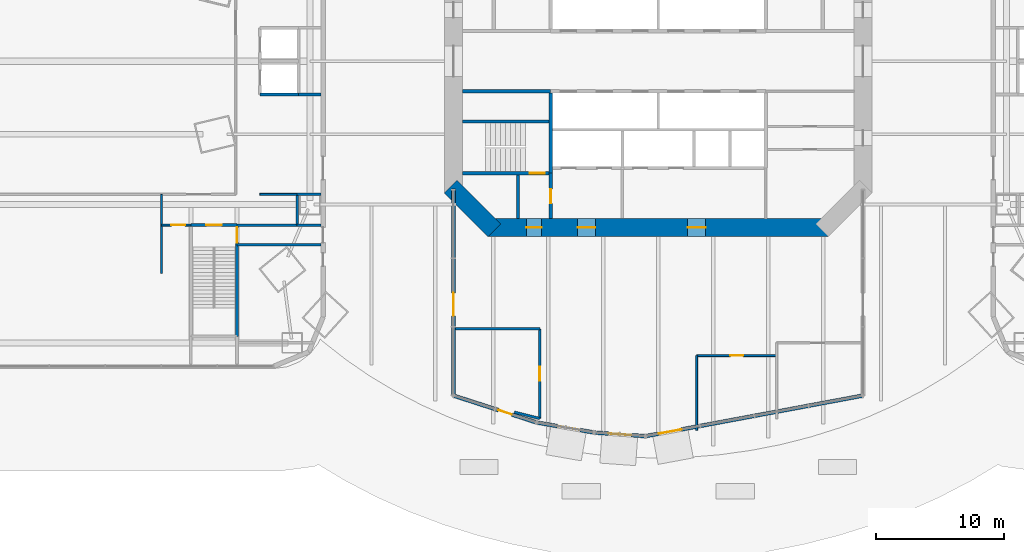
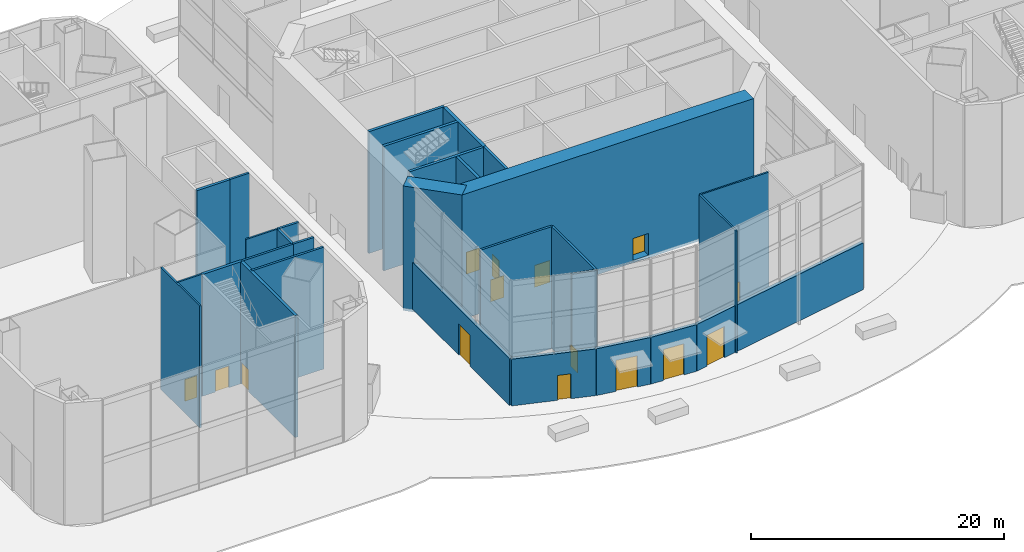
# One storey, part 11 of 23: 30 walls, 15 doors, 15 openings.
"""IFC4 building model written with IfcOpenShell, lengths in metres."""

from ifc_helpers import new_model, si_unit, direction, frame, frame_2d, origin, place, context, subcontext, project, spatial, rectangle, extrude, material, layer, layer_set, type_object, element, fill, save


model = new_model("IFC4")

# Units and contexts
model_context = context("Model", 3, precision=1e-05, world=origin(), true_north=direction((0.0, 1.0)))
body_context = subcontext(model_context, "Body", "Model", "MODEL_VIEW")
ifc_project = project(units=[si_unit("LENGTHUNIT", "METRE"), si_unit("AREAUNIT", "SQUARE_METRE"), si_unit("VOLUMEUNIT", "CUBIC_METRE"), si_unit("PLANEANGLEUNIT", "RADIAN"), si_unit("MASSUNIT", "GRAM", prefix="KILO")], contexts=[model_context])

# Site, building, storey
site_placement = place(None, origin())
site = spatial("IfcSite", under=ifc_project, at=site_placement, CompositionType="ELEMENT")
building_placement = place(site_placement, origin())
building = spatial("IfcBuilding", under=site, at=building_placement, Name="Marenthal Gate Tower", CompositionType="ELEMENT")
storey_placement = place(building_placement, origin())
storey = spatial("IfcBuildingStorey", under=building, at=storey_placement, Name="L00", CompositionType="ELEMENT", Elevation=0.0)

# Wall
ifc_material_1 = material(Name="Concrete 60 MPa", Category="concrete")
ifc_layer_1 = layer(ifc_material_1, 1.39990234375)
ifc_layer_set_1 = layer_set([ifc_layer_1], Name="Core shear wall 1400")
wall_type_1 = type_object("IfcWallType", Name="Core shear wall 1400", PredefinedType="SHEAR", material=ifc_layer_set_1)
wall_1_placement = place(storey_placement, frame((-16.205078125, -9.794921875, -0.25), z_axis=(0.0, 0.0, 1.0), x_axis=(0.707106781187, -0.707106781187, 0.0)))
element("IfcWall", 1, at=wall_1_placement, inside=storey, type_object=wall_type_1, Name="Core wall 07", PredefinedType="SHEAR", context=body_context, shape_type="SweptSolid", body=[
    extrude(rectangle(XDim=4.82275390625, YDim=1.39990234375, at=frame_2d((2.411376953125, 0.0))), origin(), (0.0, 0.0, 1.0), 12.0),
])

# Wall, openings, doors
wall_2_placement = place(storey_placement, frame((-13.289794921875, -13.0, -0.25), z_axis=(0.0, 0.0, 1.0), x_axis=(1.0, 0.0, 0.0)))
wall_2 = element("IfcWall", 2, at=wall_2_placement, inside=storey, type_object=wall_type_1, Name="Core wall 08", PredefinedType="SHEAR", context=body_context, shape_type="SweptSolid", body=[
    extrude(rectangle(XDim=26.57958984375, YDim=1.39990234375, at=frame_2d((13.289794921875, 0.0))), origin(), (0.0, 0.0, 1.0), 12.0),
])
opening_1_placement = place(wall_2_placement, frame((2.989990234375, 0.0, 0.25)))
opening_1 = element("IfcOpeningElement", 3, at=opening_1_placement, cuts=wall_2, Name="Opening D001.06", PredefinedType="OPENING", context=body_context, shape_type="SweptSolid", body=[
    extrude(rectangle(XDim=1.199951171875, YDim=2.10009765625, at=frame_2d((0.60009765625, 1.050048828125))), frame((0.0, 0.7099609375, 0.0), z_axis=(0.0, -1.0, 0.0), x_axis=(1.0, 0.0, 0.0)), (0.0, 0.0, 1.0), 1.419921875),
])
opening_2_placement = place(wall_2_placement, frame((6.989990234375, 0.0, 0.25)))
opening_2 = element("IfcOpeningElement", 4, at=opening_2_placement, cuts=wall_2, Name="Opening D004.01", PredefinedType="OPENING", context=body_context, shape_type="SweptSolid", body=[
    extrude(rectangle(XDim=1.39990234375, YDim=2.10009765625, at=frame_2d((0.699951171875, 1.050048828125))), frame((0.0, 0.7099609375, 0.0), z_axis=(0.0, -1.0, 0.0), x_axis=(1.0, 0.0, 0.0)), (0.0, 0.0, 1.0), 1.419921875),
])
opening_3_placement = place(wall_2_placement, frame((15.58984375, 0.0, 0.25)))
opening_3 = element("IfcOpeningElement", 5, at=opening_3_placement, cuts=wall_2, Name="Opening D004.02", PredefinedType="OPENING", context=body_context, shape_type="SweptSolid", body=[
    extrude(rectangle(XDim=1.39990234375, YDim=2.10009765625, at=frame_2d((0.699951171875, 1.050048828125))), frame((0.0, 0.7099609375, 0.0), z_axis=(0.0, -1.0, 0.0), x_axis=(1.0, 0.0, 0.0)), (0.0, 0.0, 1.0), 1.419921875),
])
ifc_material_2 = material(Name="Steel fire door", Category="steel")
door_type_1 = type_object("IfcDoorType", Name="Fire door FD 45 1400 x 2100", OperationType="NOTDEFINED", PredefinedType="DOOR", material=ifc_material_2)
door_1_placement = place(opening_2_placement, origin())
door_1 = element("IfcDoor", 6, at=door_1_placement, inside=storey, type_object=door_type_1, Name="Door D004.01", OperationType="SINGLE_SWING_RIGHT", OverallHeight=2.10009765625, OverallWidth=1.39990234375, PredefinedType="DOOR", context=body_context, shape_type="SweptSolid", body=[
    extrude(rectangle(XDim=1.39990234375, YDim=2.10009765625, at=frame_2d((0.699951171875, 1.050048828125))), frame((0.0, 0.02490234375, 0.0), z_axis=(0.0, -1.0, 0.0), x_axis=(1.0, 0.0, 0.0)), (0.0, 0.0, 1.0), 0.050048828125),
])
fill(opening_2, door_1)
door_2_placement = place(opening_3_placement, origin())
door_2 = element("IfcDoor", 7, at=door_2_placement, inside=storey, type_object=door_type_1, Name="Door D004.02", OperationType="SINGLE_SWING_RIGHT", OverallHeight=2.10009765625, OverallWidth=1.39990234375, PredefinedType="DOOR", context=body_context, shape_type="SweptSolid", body=[
    extrude(rectangle(XDim=1.39990234375, YDim=2.10009765625, at=frame_2d((0.699951171875, 1.050048828125))), frame((0.0, 0.02490234375, 0.0), z_axis=(0.0, -1.0, 0.0), x_axis=(1.0, 0.0, 0.0)), (0.0, 0.0, 1.0), 0.050048828125),
])
fill(opening_3, door_2)
ifc_material_3 = material(Name="Steel fire door", Category="steel")
door_type_2 = type_object("IfcDoorType", Name="Fire door FD 90 1200 x 2100", OperationType="NOTDEFINED", PredefinedType="DOOR", material=ifc_material_3)
door_3_placement = place(opening_1_placement, origin())
door_3 = element("IfcDoor", 8, at=door_3_placement, inside=storey, type_object=door_type_2, Name="Door D001.06", OperationType="SINGLE_SWING_RIGHT", OverallHeight=2.10009765625, OverallWidth=1.199951171875, PredefinedType="DOOR", context=body_context, shape_type="SweptSolid", body=[
    extrude(rectangle(XDim=1.199951171875, YDim=2.10009765625, at=frame_2d((0.60009765625, 1.050048828125))), frame((0.0, 0.02490234375, 0.0), z_axis=(0.0, -1.0, 0.0), x_axis=(1.0, 0.0, 0.0)), (0.0, 0.0, 1.0), 0.050048828125),
])
fill(opening_1, door_3)

# Wall, opening, door
ifc_material_4 = material(Name="Terracotta cladding on insulated concrete-block backing", Category="masonry")
ifc_layer_2 = layer(ifc_material_4, 0.300048828125)
ifc_layer_set_2 = layer_set([ifc_layer_2], Name="Entrance portal wall 300")
wall_type_2 = type_object("IfcWallType", Name="Entrance portal wall 300", PredefinedType="SOLIDWALL", material=ifc_layer_set_2)
wall_3_placement = place(storey_placement, frame((-16.0, -26.117431640625, 0.0), z_axis=(0.0, 0.0, 1.0), x_axis=(0.951503608182, -0.307637584857, 0.0)))
wall_3 = element("IfcWall", 9, at=wall_3_placement, inside=storey, type_object=wall_type_2, Name="Entrance portal wall S1", PredefinedType="SOLIDWALL", context=body_context, shape_type="SweptSolid", body=[
    extrude(rectangle(XDim=6.831298828125, YDim=0.300048828125, at=frame_2d((3.41552734375, 0.0))), origin(), (0.0, 0.0, 1.0), 4.5),
])
opening_4_placement = place(wall_3_placement, frame((3.6982421875, 0.0, 0.0)))
opening_4 = element("IfcOpeningElement", 10, at=opening_4_placement, cuts=wall_3, Name="Opening DX2-L00-07", PredefinedType="OPENING", context=body_context, shape_type="SweptSolid", body=[
    extrude(rectangle(XDim=1.10009765625, YDim=2.39990234375, at=frame_2d((0.550048828125, 1.199951171875))), frame((0.0, 0.16015625, 0.0), z_axis=(0.0, -1.0, 0.0), x_axis=(1.0, 0.0, 0.0)), (0.0, 0.0, 1.0), 0.320068359375),
])
ifc_material_5 = material(Name="Aluminium and glass", Category="aluminium")
door_type_3 = type_object("IfcDoorType", Name="Fire service door 1100x2400", OperationType="NOTDEFINED", PredefinedType="DOOR", material=ifc_material_5)
door_4_placement = place(opening_4_placement, frame((1.10009765625, 0.0, 0.0), z_axis=(0.0, 0.0, 1.0), x_axis=(-1.0, 0.0, 0.0)))
door_4 = element("IfcDoor", 11, at=door_4_placement, inside=storey, type_object=door_type_3, Name="Exterior door DX2-L00-07 L00", OperationType="SINGLE_SWING_RIGHT", OverallHeight=2.39990234375, OverallWidth=1.10009765625, PredefinedType="DOOR", context=body_context, shape_type="SweptSolid", body=[
    extrude(rectangle(XDim=1.10009765625, YDim=2.39990234375, at=frame_2d((0.550048828125, 1.199951171875))), frame((0.0, 0.02490234375, 0.0), z_axis=(0.0, -1.0, 0.0), x_axis=(1.0, 0.0, 0.0)), (0.0, 0.0, 1.0), 0.050048828125),
])
fill(opening_4, door_4)

wall_4_placement = place(storey_placement, frame((-9.5, -28.218994140625, 0.0), z_axis=(0.0, 0.0, 1.0), x_axis=(0.985099358046, -0.171986205197, 0.0)))
wall_4 = element("IfcWall", 12, at=wall_4_placement, inside=storey, type_object=wall_type_2, Name="Entrance portal wall S2", PredefinedType="SOLIDWALL", context=body_context, shape_type="SweptSolid", body=[
    extrude(rectangle(XDim=4.568115234375, YDim=0.300048828125, at=frame_2d((2.2841796875, 0.0))), origin(), (0.0, 0.0, 1.0), 4.5),
])
opening_5_placement = place(wall_4_placement, frame((1.648681640625, 0.0, 0.0)))
opening_5 = element("IfcOpeningElement", 13, at=opening_5_placement, cuts=wall_4, Name="Opening DE1-L00-04", PredefinedType="OPENING", context=body_context, shape_type="SweptSolid", body=[
    extrude(rectangle(XDim=1.800048828125, YDim=3.0, at=frame_2d((0.89990234375, 1.5))), frame((0.0, 0.16015625, 0.0), z_axis=(0.0, -1.0, 0.0), x_axis=(1.0, 0.0, 0.0)), (0.0, 0.0, 1.0), 0.320068359375),
])
ifc_material_6 = material(Name="Aluminium and glass", Category="aluminium")
door_type_4 = type_object("IfcDoorType", Name="Entrance door 1800x3000", OperationType="DOUBLE_DOOR_DOUBLE_SWING", PredefinedType="DOOR", material=ifc_material_6)
door_5_placement = place(opening_5_placement, frame((1.800048828125, 0.0, 0.0), z_axis=(0.0, 0.0, 1.0), x_axis=(-1.0, 0.0, 0.0)))
door_5 = element("IfcDoor", 14, at=door_5_placement, inside=storey, type_object=door_type_4, Name="Exterior door DE1-L00-04 L00", OperationType="DOUBLE_DOOR_DOUBLE_SWING", OverallHeight=3.0, OverallWidth=1.800048828125, PredefinedType="DOOR", context=body_context, shape_type="SweptSolid", body=[
    extrude(rectangle(XDim=1.800048828125, YDim=3.0, at=frame_2d((0.89990234375, 1.5))), frame((0.0, 0.02490234375, 0.0), z_axis=(0.0, -1.0, 0.0), x_axis=(1.0, 0.0, 0.0)), (0.0, 0.0, 1.0), 0.050048828125),
])
fill(opening_5, door_5)

wall_5_placement = place(storey_placement, frame((-5.0, -29.004638671875, 0.0), z_axis=(0.0, 0.0, 1.0), x_axis=(0.997494422996, -0.070745148897, 0.0)))
wall_5 = element("IfcWall", 15, at=wall_5_placement, inside=storey, type_object=wall_type_2, Name="Entrance portal wall S3", PredefinedType="SOLIDWALL", context=body_context, shape_type="SweptSolid", body=[
    extrude(rectangle(XDim=4.010009765625, YDim=0.300048828125, at=frame_2d((2.0048828125, 0.0))), origin(), (0.0, 0.0, 1.0), 4.5),
])
opening_6_placement = place(wall_5_placement, frame((1.1083984375, 0.0, 0.0)))
opening_6 = element("IfcOpeningElement", 16, at=opening_6_placement, cuts=wall_5, Name="Opening DE1-L00-05", PredefinedType="OPENING", context=body_context, shape_type="SweptSolid", body=[
    extrude(rectangle(XDim=1.800048828125, YDim=3.0, at=frame_2d((0.89990234375, 1.5))), frame((0.0, 0.16015625, 0.0), z_axis=(0.0, -1.0, 0.0), x_axis=(1.0, 0.0, 0.0)), (0.0, 0.0, 1.0), 0.320068359375),
])
door_6_placement = place(opening_6_placement, frame((1.800048828125, 0.0, 0.0), z_axis=(0.0, 0.0, 1.0), x_axis=(-1.0, 0.0, 0.0)))
door_6 = element("IfcDoor", 17, at=door_6_placement, inside=storey, type_object=door_type_4, Name="Exterior door DE1-L00-05 L00", OperationType="DOUBLE_DOOR_DOUBLE_SWING", OverallHeight=3.0, OverallWidth=1.800048828125, PredefinedType="DOOR", context=body_context, shape_type="SweptSolid", body=[
    extrude(rectangle(XDim=1.800048828125, YDim=3.0, at=frame_2d((0.89990234375, 1.5))), frame((0.0, 0.02490234375, 0.0), z_axis=(0.0, -1.0, 0.0), x_axis=(1.0, 0.0, 0.0)), (0.0, 0.0, 1.0), 0.050048828125),
])
fill(opening_6, door_6)

wall_6_placement = place(storey_placement, frame((-1.0, -29.288330078125, 0.0), z_axis=(0.0, 0.0, 1.0), x_axis=(0.983045637193, 0.183361051469, 0.0)))
wall_6 = element("IfcWall", 18, at=wall_6_placement, inside=storey, type_object=wall_type_2, Name="Entrance portal wall S4", PredefinedType="SOLIDWALL", context=body_context, shape_type="SweptSolid", body=[
    extrude(rectangle(XDim=17.293212890625, YDim=0.300048828125, at=frame_2d((8.646484375, 0.0))), origin(), (0.0, 0.0, 1.0), 4.5),
])
opening_7_placement = place(wall_6_placement, frame((1.066162109375, 0.0, 0.0)))
opening_7 = element("IfcOpeningElement", 19, at=opening_7_placement, cuts=wall_6, Name="Opening DE1-L00-06", PredefinedType="OPENING", context=body_context, shape_type="SweptSolid", body=[
    extrude(rectangle(XDim=1.800048828125, YDim=3.0, at=frame_2d((0.89990234375, 1.5))), frame((0.0, 0.16015625, 0.0), z_axis=(0.0, -1.0, 0.0), x_axis=(1.0, 0.0, 0.0)), (0.0, 0.0, 1.0), 0.320068359375),
])
door_7_placement = place(opening_7_placement, frame((1.800048828125, 0.0, 0.0), z_axis=(0.0, 0.0, 1.0), x_axis=(-1.0, 0.0, 0.0)))
door_7 = element("IfcDoor", 20, at=door_7_placement, inside=storey, type_object=door_type_4, Name="Exterior door DE1-L00-06 L00", OperationType="DOUBLE_DOOR_DOUBLE_SWING", OverallHeight=3.0, OverallWidth=1.800048828125, PredefinedType="DOOR", context=body_context, shape_type="SweptSolid", body=[
    extrude(rectangle(XDim=1.800048828125, YDim=3.0, at=frame_2d((0.89990234375, 1.5))), frame((0.0, 0.02490234375, 0.0), z_axis=(0.0, -1.0, 0.0), x_axis=(1.0, 0.0, 0.0)), (0.0, 0.0, 1.0), 0.050048828125),
])
fill(opening_7, door_7)

wall_7_placement = place(storey_placement, frame((-16.0, -10.0, 0.0), z_axis=(0.0, 0.0, 1.0), x_axis=(0.0, -1.0, 0.0)))
wall_7 = element("IfcWall", 21, at=wall_7_placement, inside=storey, type_object=wall_type_2, Name="Hall wall SW1", PredefinedType="SOLIDWALL", context=body_context, shape_type="SweptSolid", body=[
    extrude(rectangle(XDim=16.117431640625, YDim=0.300048828125, at=frame_2d((8.05859375, 0.0))), origin(), (0.0, 0.0, 1.0), 4.5),
])
opening_8_placement = place(wall_7_placement, frame((8.10009765625, 0.0, 0.0)))
opening_8 = element("IfcOpeningElement", 22, at=opening_8_placement, cuts=wall_7, Name="Opening DE1-L00-11", PredefinedType="OPENING", context=body_context, shape_type="SweptSolid", body=[
    extrude(rectangle(XDim=1.800048828125, YDim=3.0, at=frame_2d((0.89990234375, 1.5))), frame((0.0, 0.16015625, 0.0), z_axis=(0.0, -1.0, 0.0), x_axis=(1.0, 0.0, 0.0)), (0.0, 0.0, 1.0), 0.320068359375),
])
door_8_placement = place(opening_8_placement, frame((1.800048828125, 0.0, 0.0), z_axis=(0.0, 0.0, 1.0), x_axis=(-1.0, 0.0, 0.0)))
door_8 = element("IfcDoor", 23, at=door_8_placement, inside=storey, type_object=door_type_4, Name="Exterior door DE1-L00-11 L00", OperationType="DOUBLE_DOOR_DOUBLE_SWING", OverallHeight=3.0, OverallWidth=1.800048828125, PredefinedType="DOOR", context=body_context, shape_type="SweptSolid", body=[
    extrude(rectangle(XDim=1.800048828125, YDim=3.0, at=frame_2d((0.89990234375, 1.5))), frame((0.0, 0.02490234375, 0.0), z_axis=(0.0, -1.0, 0.0), x_axis=(1.0, 0.0, 0.0)), (0.0, 0.0, 1.0), 0.050048828125),
])
fill(opening_8, door_8)

# Walls
ifc_material_7 = material(Name="Concrete 50 MPa", Category="concrete")
ifc_layer_3 = layer(ifc_material_7, 0.300048828125)
ifc_layer_set_3 = layer_set([ifc_layer_3], Name="Hoistway shear wall 300")
wall_type_3 = type_object("IfcWallType", Name="Hoistway shear wall 300", PredefinedType="SHEAR", material=ifc_layer_set_3)
wall_8_placement = place(storey_placement, frame((-8.39990234375, -8.75, -0.25), z_axis=(0.0, 0.0, 1.0), x_axis=(0.0, 1.0, 0.0)))
element("IfcWall", 24, at=wall_8_placement, inside=storey, type_object=wall_type_3, Name="Hoistway wall 31", PredefinedType="SHEAR", context=body_context, shape_type="SweptSolid", body=[
    extrude(rectangle(XDim=6.25, YDim=0.300048828125, at=frame_2d((3.125, 0.0))), origin(), (0.0, 0.0, 1.0), 12.0),
])
ifc_material_8 = material(Name="Concrete 40 MPa", Category="concrete")
ifc_layer_4 = layer(ifc_material_8, 0.25)
ifc_layer_set_4 = layer_set([ifc_layer_4], Name="Hoistway wall 250")
wall_type_4 = type_object("IfcWallType", Name="Hoistway wall 250", PredefinedType="STANDARD", material=ifc_layer_set_4)
wall_9_placement = place(storey_placement, frame((-31.10009765625, -2.60009765625, 0.0), z_axis=(0.0, 0.0, 1.0), x_axis=(1.0, 0.0, 0.0)))
element("IfcWall", 25, at=wall_9_placement, inside=storey, type_object=wall_type_4, Name="Hoistway wall 48", PredefinedType="STANDARD", context=body_context, shape_type="SweptSolid", body=[
    extrude(rectangle(XDim=3.0, YDim=0.25, at=frame_2d((1.5, 0.0))), origin(), (0.0, 0.0, 1.0), 11.75),
])

# Wall, opening, door
ifc_material_9 = material(Name="Gypsum board on steel studs", Category="steel")
ifc_layer_5 = layer(ifc_material_9, 0.14990234375)
ifc_layer_set_5 = layer_set([ifc_layer_5], Name="Partition 150")
wall_type_5 = type_object("IfcWallType", Name="Partition 150", PredefinedType="PARTITIONING", material=ifc_layer_set_5)
wall_10_placement = place(storey_placement, frame((3.0, -23.0, 0.0), z_axis=(0.0, 0.0, 1.0), x_axis=(1.0, 0.0, 0.0)))
wall_10 = element("IfcWall", 26, at=wall_10_placement, inside=storey, type_object=wall_type_5, Name="Partition wall 71", PredefinedType="PARTITIONING", context=body_context, shape_type="SweptSolid", body=[
    extrude(rectangle(XDim=6.25, YDim=0.14990234375, at=frame_2d((3.125, 0.0))), origin(), (0.0, 0.0, 1.0), 11.75),
])
opening_9_placement = place(wall_10_placement, frame((2.625, 0.0, 0.0)))
opening_9 = element("IfcOpeningElement", 27, at=opening_9_placement, cuts=wall_10, Name="Opening D012.04", PredefinedType="OPENING", context=body_context, shape_type="SweptSolid", body=[
    extrude(rectangle(XDim=1.0, YDim=2.10009765625, at=frame_2d((0.5, 1.050048828125))), frame((0.0, 0.0849609375, 0.0), z_axis=(0.0, -1.0, 0.0), x_axis=(1.0, 0.0, 0.0)), (0.0, 0.0, 1.0), 0.169921875),
])
ifc_material_10 = material(Name="Timber door", Category="wood")
door_type_5 = type_object("IfcDoorType", Name="Door 1000 x 2100", OperationType="NOTDEFINED", PredefinedType="DOOR", material=ifc_material_10)
door_9_placement = place(opening_9_placement, frame((1.0, 0.0, 0.0), z_axis=(0.0, 0.0, 1.0), x_axis=(-1.0, 0.0, 0.0)))
door_9 = element("IfcDoor", 28, at=door_9_placement, inside=storey, type_object=door_type_5, Name="Door D012.04", OperationType="SINGLE_SWING_LEFT", OverallHeight=2.10009765625, OverallWidth=1.0, PredefinedType="DOOR", context=body_context, shape_type="SweptSolid", body=[
    extrude(rectangle(XDim=1.0, YDim=2.10009765625, at=frame_2d((0.5, 1.050048828125))), frame((0.0, 0.02490234375, 0.0), z_axis=(0.0, -1.0, 0.0), x_axis=(1.0, 0.0, 0.0)), (0.0, 0.0, 1.0), 0.050048828125),
])
fill(opening_9, door_9)

wall_11_placement = place(storey_placement, frame((-38.794921875, -12.800048828125, 0.0), z_axis=(0.0, 0.0, 1.0), x_axis=(1.0, 0.0, 0.0)))
wall_11 = element("IfcWall", 29, at=wall_11_placement, inside=storey, type_object=wall_type_5, Name="Partition wall 73", PredefinedType="PARTITIONING", context=body_context, shape_type="SweptSolid", body=[
    extrude(rectangle(XDim=2.2998046875, YDim=0.14990234375, at=frame_2d((1.14990234375, 0.0))), origin(), (0.0, 0.0, 1.0), 11.75),
])
opening_10_placement = place(wall_11_placement, frame((0.7451171875, 0.0, 0.0)))
opening_10 = element("IfcOpeningElement", 30, at=opening_10_placement, cuts=wall_11, Name="Opening D015.01", PredefinedType="OPENING", context=body_context, shape_type="SweptSolid", body=[
    extrude(rectangle(XDim=1.10009765625, YDim=2.10009765625, at=frame_2d((0.550048828125, 1.050048828125))), frame((0.0, 0.0849609375, 0.0), z_axis=(0.0, -1.0, 0.0), x_axis=(1.0, 0.0, 0.0)), (0.0, 0.0, 1.0), 0.169921875),
])
ifc_material_11 = material(Name="Timber door", Category="wood")
door_type_6 = type_object("IfcDoorType", Name="Door 1100 x 2100", OperationType="NOTDEFINED", PredefinedType="DOOR", material=ifc_material_11)
door_10_placement = place(opening_10_placement, frame((1.10009765625, 0.0, 0.0), z_axis=(0.0, 0.0, 1.0), x_axis=(-1.0, 0.0, 0.0)))
door_10 = element("IfcDoor", 31, at=door_10_placement, inside=storey, type_object=door_type_6, Name="Door D015.01", OperationType="SINGLE_SWING_LEFT", OverallHeight=2.10009765625, OverallWidth=1.10009765625, PredefinedType="DOOR", context=body_context, shape_type="SweptSolid", body=[
    extrude(rectangle(XDim=1.10009765625, YDim=2.10009765625, at=frame_2d((0.550048828125, 1.050048828125))), frame((0.0, 0.02490234375, 0.0), z_axis=(0.0, -1.0, 0.0), x_axis=(1.0, 0.0, 0.0)), (0.0, 0.0, 1.0), 0.050048828125),
])
fill(opening_10, door_10)

# Walls
wall_12_placement = place(storey_placement, frame((-31.10498046875, -10.39990234375, 0.0), z_axis=(0.0, 0.0, 1.0), x_axis=(1.0, 0.0, 0.0)))
element("IfcWall", 32, at=wall_12_placement, inside=storey, type_object=wall_type_5, Name="Partition wall 77", PredefinedType="PARTITIONING", context=body_context, shape_type="SweptSolid", body=[
    extrude(rectangle(XDim=2.905029296875, YDim=0.14990234375, at=frame_2d((1.45263671875, 0.0))), origin(), (0.0, 0.0, 1.0), 11.75),
])
wall_13_placement = place(storey_placement, frame((3.0, -28.829833984375, 0.0), z_axis=(0.0, 0.0, 1.0), x_axis=(0.0, 1.0, 0.0)))
element("IfcWall", 33, at=wall_13_placement, inside=storey, type_object=wall_type_5, Name="Partition wall 95", PredefinedType="PARTITIONING", context=body_context, shape_type="SweptSolid", body=[
    extrude(rectangle(XDim=5.829833984375, YDim=0.14990234375, at=frame_2d((2.9150390625, 0.0))), origin(), (0.0, 0.0, 1.0), 11.75),
])
wall_14_placement = place(storey_placement, frame((-38.794921875, -16.580078125, 0.0), z_axis=(0.0, 0.0, 1.0), x_axis=(0.0, 1.0, 0.0)))
element("IfcWall", 34, at=wall_14_placement, inside=storey, type_object=wall_type_5, Name="Partition wall 98", PredefinedType="PARTITIONING", context=body_context, shape_type="SweptSolid", body=[
    extrude(rectangle(XDim=6.18017578125, YDim=0.14990234375, at=frame_2d((3.090087890625, 0.0))), origin(), (0.0, 0.0, 1.0), 11.75),
])
ifc_material_12 = material(Name="Gypsum board on steel studs", Category="steel")
ifc_layer_6 = layer(ifc_material_12, 0.199951171875)
ifc_layer_set_6 = layer_set([ifc_layer_6], Name="Partition 200")
wall_type_6 = type_object("IfcWallType", Name="Partition 200", PredefinedType="PARTITIONING", material=ifc_layer_set_6)
wall_15_placement = place(storey_placement, frame((-32.89990234375, -14.35009765625, 0.0), z_axis=(0.0, 0.0, 1.0), x_axis=(1.0, 0.0, 0.0)))
element("IfcWall", 35, at=wall_15_placement, inside=storey, type_object=wall_type_6, Name="Partition wall 58", PredefinedType="PARTITIONING", context=body_context, shape_type="SweptSolid", body=[
    extrude(rectangle(XDim=6.56982421875, YDim=0.199951171875, at=frame_2d((3.284912109375, 0.0))), origin(), (0.0, 0.0, 1.0), 11.75),
])
wall_16_placement = place(storey_placement, frame((-32.905029296875, -12.800048828125, 0.0), z_axis=(0.0, 0.0, 1.0), x_axis=(1.0, 0.0, 0.0)))
element("IfcWall", 36, at=wall_16_placement, inside=storey, type_object=wall_type_6, Name="Partition wall 60", PredefinedType="PARTITIONING", context=body_context, shape_type="SweptSolid", body=[
    extrude(rectangle(XDim=4.705078125, YDim=0.199951171875, at=frame_2d((2.3525390625, 0.0))), origin(), (0.0, 0.0, 1.0), 11.75),
])
wall_17_placement = place(storey_placement, frame((-15.85009765625, -20.89990234375, 0.0), z_axis=(0.0, 0.0, 1.0), x_axis=(1.0, 0.0, 0.0)))
element("IfcWall", 37, at=wall_17_placement, inside=storey, type_object=wall_type_6, Name="Partition wall 68", PredefinedType="PARTITIONING", context=body_context, shape_type="SweptSolid", body=[
    extrude(rectangle(XDim=6.60009765625, YDim=0.199951171875, at=frame_2d((3.300048828125, 0.0))), origin(), (0.0, 0.0, 1.0), 11.75),
])

# Wall, opening, door
wall_18_placement = place(storey_placement, frame((-9.25, -27.912109375, 0.0), z_axis=(0.0, 0.0, 1.0), x_axis=(0.0, 1.0, 0.0)))
wall_18 = element("IfcWall", 38, at=wall_18_placement, inside=storey, type_object=wall_type_6, Name="Partition wall 69", PredefinedType="PARTITIONING", context=body_context, shape_type="SweptSolid", body=[
    extrude(rectangle(XDim=7.01220703125, YDim=0.199951171875, at=frame_2d((3.506103515625, 0.0))), origin(), (0.0, 0.0, 1.0), 11.75),
])
opening_11_placement = place(wall_18_placement, frame((2.9560546875, 0.0, 0.0)))
opening_11 = element("IfcOpeningElement", 39, at=opening_11_placement, cuts=wall_18, Name="Opening D013.01", PredefinedType="OPENING", context=body_context, shape_type="SweptSolid", body=[
    extrude(rectangle(XDim=1.10009765625, YDim=2.10009765625, at=frame_2d((0.550048828125, 1.050048828125))), frame((0.0, 0.10986328125, 0.0), z_axis=(0.0, -1.0, 0.0), x_axis=(1.0, 0.0, 0.0)), (0.0, 0.0, 1.0), 0.219970703125),
])
ifc_material_13 = material(Name="Steel fire door", Category="steel")
door_type_7 = type_object("IfcDoorType", Name="Fire door FD 45 1100 x 2100", OperationType="NOTDEFINED", PredefinedType="DOOR", material=ifc_material_13)
door_11_placement = place(opening_11_placement, origin())
door_11 = element("IfcDoor", 40, at=door_11_placement, inside=storey, type_object=door_type_7, Name="Door D013.01", OperationType="SINGLE_SWING_RIGHT", OverallHeight=2.10009765625, OverallWidth=1.10009765625, PredefinedType="DOOR", context=body_context, shape_type="SweptSolid", body=[
    extrude(rectangle(XDim=1.10009765625, YDim=2.10009765625, at=frame_2d((0.550048828125, 1.050048828125))), frame((0.0, 0.02490234375, 0.0), z_axis=(0.0, -1.0, 0.0), x_axis=(1.0, 0.0, 0.0)), (0.0, 0.0, 1.0), 0.050048828125),
])
fill(opening_11, door_11)

# Walls
wall_19_placement = place(storey_placement, frame((-9.25, -27.912109375, 0.0), z_axis=(0.0, 0.0, 1.0), x_axis=(-0.969861089039, 0.243658506867, 0.0)))
element("IfcWall", 41, at=wall_19_placement, inside=storey, type_object=wall_type_6, Name="Partition wall 70", PredefinedType="PARTITIONING", context=body_context, shape_type="SweptSolid", body=[
    extrude(rectangle(XDim=2.046142578125, YDim=0.199951171875, at=frame_2d((1.02294921875, 0.0))), origin(), (0.0, 0.0, 1.0), 11.75),
])
for number, where, z_axis, x_axis, name in (
    (42, (-28.203857421875, -12.800048828125, 0.0), (0.0, 0.0, 1.0), (1.0, 0.0, 0.0), "Partition wall 02"),
    (43, (-28.203857421875, -10.39990234375, 0.0), (0.0, 0.0, 1.0), (1.0, 0.0, 0.0), "Partition wall 05"),
):
    element("IfcWall", number, at=place(storey_placement, frame(where, z_axis=z_axis, x_axis=x_axis)), inside=storey, type_object=wall_type_6, Name=name, PredefinedType="PARTITIONING", context=body_context, shape_type="SweptSolid", body=[
        extrude(rectangle(XDim=1.873779296875, YDim=0.199951171875, at=frame_2d((0.93701171875, 0.0))), origin(), (0.0, 0.0, 1.0), 11.75),
    ])
wall_20_placement = place(storey_placement, frame((-28.10009765625, -2.60009765625, 0.0), z_axis=(0.0, 0.0, 1.0), x_axis=(1.0, 0.0, 0.0)))
element("IfcWall", 44, at=wall_20_placement, inside=storey, type_object=wall_type_6, Name="Partition wall 08", PredefinedType="PARTITIONING", context=body_context, shape_type="SweptSolid", body=[
    extrude(rectangle(XDim=1.77001953125, YDim=0.199951171875, at=frame_2d((0.885009765625, 0.0))), origin(), (0.0, 0.0, 1.0), 11.75),
])
wall_21_placement = place(storey_placement, frame((-28.199951171875, -12.800048828125, 0.0), z_axis=(0.0, 0.0, 1.0), x_axis=(0.0, 1.0, 0.0)))
element("IfcWall", 45, at=wall_21_placement, inside=storey, type_object=wall_type_6, Name="Partition wall 35", PredefinedType="PARTITIONING", context=body_context, shape_type="SweptSolid", body=[
    extrude(rectangle(XDim=2.400146484375, YDim=0.199951171875, at=frame_2d((1.2001953125, 0.0))), origin(), (0.0, 0.0, 1.0), 11.75),
])
ifc_material_14 = material(Name="Concrete 40 MPa", Category="concrete")
ifc_layer_7 = layer(ifc_material_14, 0.25)
ifc_layer_set_7 = layer_set([ifc_layer_7], Name="Stair enclosure wall 250")
wall_type_7 = type_object("IfcWallType", Name="Stair enclosure wall 250", PredefinedType="STANDARD", material=ifc_layer_set_7)
wall_22_placement = place(storey_placement, frame((-15.300048828125, -2.35009765625, 0.0), z_axis=(0.0, 0.0, 1.0), x_axis=(1.0, 0.0, 0.0)))
element("IfcWall", 46, at=wall_22_placement, inside=storey, type_object=wall_type_7, Name="Stair wall 16", PredefinedType="STANDARD", context=body_context, shape_type="SweptSolid", body=[
    extrude(rectangle(XDim=6.900146484375, YDim=0.25, at=frame_2d((3.4501953125, 0.0))), origin(), (0.0, 0.0, 1.0), 11.75),
])
wall_23_placement = place(storey_placement, frame((-10.949951171875, -12.300048828125, 0.0), z_axis=(0.0, 0.0, 1.0), x_axis=(0.0, 1.0, 0.0)))
element("IfcWall", 47, at=wall_23_placement, inside=storey, type_object=wall_type_7, Name="Stair wall 29", PredefinedType="STANDARD", context=body_context, shape_type="SweptSolid", body=[
    extrude(rectangle(XDim=3.425048828125, YDim=0.25, at=frame_2d((1.71240234375, 0.0))), origin(), (0.0, 0.0, 1.0), 11.75),
])

# Wall, opening, door
wall_24_placement = place(storey_placement, frame((-8.39990234375, -12.300048828125, 0.0), z_axis=(0.0, 0.0, 1.0), x_axis=(0.0, 1.0, 0.0)))
wall_24 = element("IfcWall", 48, at=wall_24_placement, inside=storey, type_object=wall_type_7, Name="Stair wall 30", PredefinedType="STANDARD", context=body_context, shape_type="SweptSolid", body=[
    extrude(rectangle(XDim=3.550048828125, YDim=0.25, at=frame_2d((1.77490234375, 0.0))), origin(), (0.0, 0.0, 1.0), 11.75),
])
opening_12_placement = place(wall_24_placement, frame((1.199951171875, 0.0, 0.0)))
opening_12 = element("IfcOpeningElement", 49, at=opening_12_placement, cuts=wall_24, Name="Opening D002.01", PredefinedType="OPENING", context=body_context, shape_type="SweptSolid", body=[
    extrude(rectangle(XDim=1.10009765625, YDim=2.10009765625, at=frame_2d((0.550048828125, 1.050048828125))), frame((0.0, 0.135009765625, 0.0), z_axis=(0.0, -1.0, 0.0), x_axis=(1.0, 0.0, 0.0)), (0.0, 0.0, 1.0), 0.27001953125),
])
ifc_material_15 = material(Name="Steel fire door", Category="steel")
door_type_8 = type_object("IfcDoorType", Name="Fire door FD 90 1100 x 2100", OperationType="NOTDEFINED", PredefinedType="DOOR", material=ifc_material_15)
door_12_placement = place(opening_12_placement, origin())
door_12 = element("IfcDoor", 50, at=door_12_placement, inside=storey, type_object=door_type_8, Name="Door D002.01", OperationType="SINGLE_SWING_RIGHT", OverallHeight=2.10009765625, OverallWidth=1.10009765625, PredefinedType="DOOR", context=body_context, shape_type="SweptSolid", body=[
    extrude(rectangle(XDim=1.10009765625, YDim=2.10009765625, at=frame_2d((0.550048828125, 1.050048828125))), frame((0.0, 0.02490234375, 0.0), z_axis=(0.0, -1.0, 0.0), x_axis=(1.0, 0.0, 0.0)), (0.0, 0.0, 1.0), 0.050048828125),
])
fill(opening_12, door_12)

ifc_material_16 = material(Name="Concrete 50 MPa", Category="concrete")
ifc_layer_8 = layer(ifc_material_16, 0.25)
ifc_layer_set_8 = layer_set([ifc_layer_8], Name="Stair shear wall 250")
wall_type_8 = type_object("IfcWallType", Name="Stair shear wall 250", PredefinedType="SHEAR", material=ifc_layer_set_8)
wall_25_placement = place(storey_placement, frame((-15.300048828125, -8.75, -0.25), z_axis=(0.0, 0.0, 1.0), x_axis=(1.0, 0.0, 0.0)))
wall_25 = element("IfcWall", 51, at=wall_25_placement, inside=storey, type_object=wall_type_8, Name="Stair wall 09", PredefinedType="SHEAR", context=body_context, shape_type="SweptSolid", body=[
    extrude(rectangle(XDim=6.75, YDim=0.25, at=frame_2d((3.375, 0.0))), origin(), (0.0, 0.0, 1.0), 12.0),
])
opening_13_placement = place(wall_25_placement, frame((5.25, 0.0, 0.25)))
opening_13 = element("IfcOpeningElement", 52, at=opening_13_placement, cuts=wall_25, Name="Opening D001.03", PredefinedType="OPENING", context=body_context, shape_type="SweptSolid", body=[
    extrude(rectangle(XDim=1.199951171875, YDim=2.10009765625, at=frame_2d((0.60009765625, 1.050048828125))), frame((0.0, 0.135009765625, 0.0), z_axis=(0.0, -1.0, 0.0), x_axis=(1.0, 0.0, 0.0)), (0.0, 0.0, 1.0), 0.27001953125),
])
door_13_placement = place(opening_13_placement, origin())
door_13 = element("IfcDoor", 53, at=door_13_placement, inside=storey, type_object=door_type_2, Name="Door D001.03", OperationType="SINGLE_SWING_RIGHT", OverallHeight=2.10009765625, OverallWidth=1.199951171875, PredefinedType="DOOR", context=body_context, shape_type="SweptSolid", body=[
    extrude(rectangle(XDim=1.199951171875, YDim=2.10009765625, at=frame_2d((0.60009765625, 1.050048828125))), frame((0.0, 0.02490234375, 0.0), z_axis=(0.0, -1.0, 0.0), x_axis=(1.0, 0.0, 0.0)), (0.0, 0.0, 1.0), 0.050048828125),
])
fill(opening_13, door_13)

# Wall
wall_26_placement = place(storey_placement, frame((-15.300048828125, -4.699951171875, -0.25), z_axis=(0.0, 0.0, 1.0), x_axis=(1.0, 0.0, 0.0)))
element("IfcWall", 54, at=wall_26_placement, inside=storey, type_object=wall_type_8, Name="Stair wall 15", PredefinedType="SHEAR", context=body_context, shape_type="SweptSolid", body=[
    extrude(rectangle(XDim=6.75, YDim=0.25, at=frame_2d((3.375, 0.0))), origin(), (0.0, 0.0, 1.0), 12.0),
])

# Wall, opening, door
wall_27_placement = place(storey_placement, frame((-36.5048828125, -12.800048828125, 0.0), z_axis=(0.0, 0.0, 1.0), x_axis=(1.0, 0.0, 0.0)))
wall_27 = element("IfcWall", 55, at=wall_27_placement, inside=storey, type_object=wall_type_8, Name="Stair wall 47", PredefinedType="SHEAR", context=body_context, shape_type="SweptSolid", body=[
    extrude(rectangle(XDim=3.60986328125, YDim=0.25, at=frame_2d((1.804931640625, 0.0))), origin(), (0.0, 0.0, 1.0), 11.75),
])
opening_14_placement = place(wall_27_placement, frame((1.205078125, 0.0, 0.0)))
opening_14 = element("IfcOpeningElement", 56, at=opening_14_placement, cuts=wall_27, Name="Opening D001.14", PredefinedType="OPENING", context=body_context, shape_type="SweptSolid", body=[
    extrude(rectangle(XDim=1.199951171875, YDim=2.10009765625, at=frame_2d((0.60009765625, 1.050048828125))), frame((0.0, 0.135009765625, 0.0), z_axis=(0.0, -1.0, 0.0), x_axis=(1.0, 0.0, 0.0)), (0.0, 0.0, 1.0), 0.27001953125),
])
door_14_placement = place(opening_14_placement, frame((1.199951171875, 0.0, 0.0), z_axis=(0.0, 0.0, 1.0), x_axis=(-1.0, 0.0, 0.0)))
door_14 = element("IfcDoor", 57, at=door_14_placement, inside=storey, type_object=door_type_2, Name="Door D001.14", OperationType="SINGLE_SWING_LEFT", OverallHeight=2.10009765625, OverallWidth=1.199951171875, PredefinedType="DOOR", context=body_context, shape_type="SweptSolid", body=[
    extrude(rectangle(XDim=1.199951171875, YDim=2.10009765625, at=frame_2d((0.60009765625, 1.050048828125))), frame((0.0, 0.02490234375, 0.0), z_axis=(0.0, -1.0, 0.0), x_axis=(1.0, 0.0, 0.0)), (0.0, 0.0, 1.0), 0.050048828125),
])
fill(opening_14, door_14)

wall_28_placement = place(storey_placement, frame((-32.89990234375, -21.5, 0.0), z_axis=(0.0, 0.0, 1.0), x_axis=(0.0, 1.0, 0.0)))
wall_28 = element("IfcWall", 58, at=wall_28_placement, inside=storey, type_object=wall_type_8, Name="Stair wall 63", PredefinedType="SHEAR", context=body_context, shape_type="SweptSolid", body=[
    extrude(rectangle(XDim=8.699951171875, YDim=0.25, at=frame_2d((4.35009765625, 0.0))), origin(), (0.0, 0.0, 1.0), 11.75),
])
opening_15_placement = place(wall_28_placement, frame((7.322509765625, 0.0, 0.0)))
opening_15 = element("IfcOpeningElement", 59, at=opening_15_placement, cuts=wall_28, Name="Opening D001.17", PredefinedType="OPENING", context=body_context, shape_type="SweptSolid", body=[
    extrude(rectangle(XDim=1.199951171875, YDim=2.10009765625, at=frame_2d((0.60009765625, 1.050048828125))), frame((0.0, 0.135009765625, 0.0), z_axis=(0.0, -1.0, 0.0), x_axis=(1.0, 0.0, 0.0)), (0.0, 0.0, 1.0), 0.27001953125),
])
door_15_placement = place(opening_15_placement, origin())
door_15 = element("IfcDoor", 60, at=door_15_placement, inside=storey, type_object=door_type_2, Name="Door D001.17", OperationType="SINGLE_SWING_RIGHT", OverallHeight=2.10009765625, OverallWidth=1.199951171875, PredefinedType="DOOR", context=body_context, shape_type="SweptSolid", body=[
    extrude(rectangle(XDim=1.199951171875, YDim=2.10009765625, at=frame_2d((0.60009765625, 1.050048828125))), frame((0.0, 0.02490234375, 0.0), z_axis=(0.0, -1.0, 0.0), x_axis=(1.0, 0.0, 0.0)), (0.0, 0.0, 1.0), 0.050048828125),
])
fill(opening_15, door_15)

save(model, "model.ifc")
